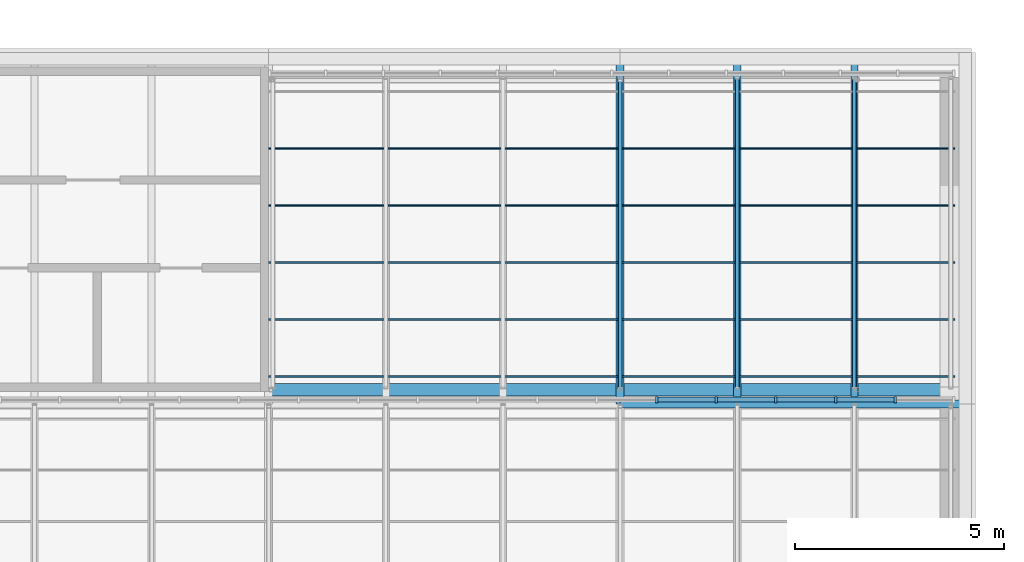
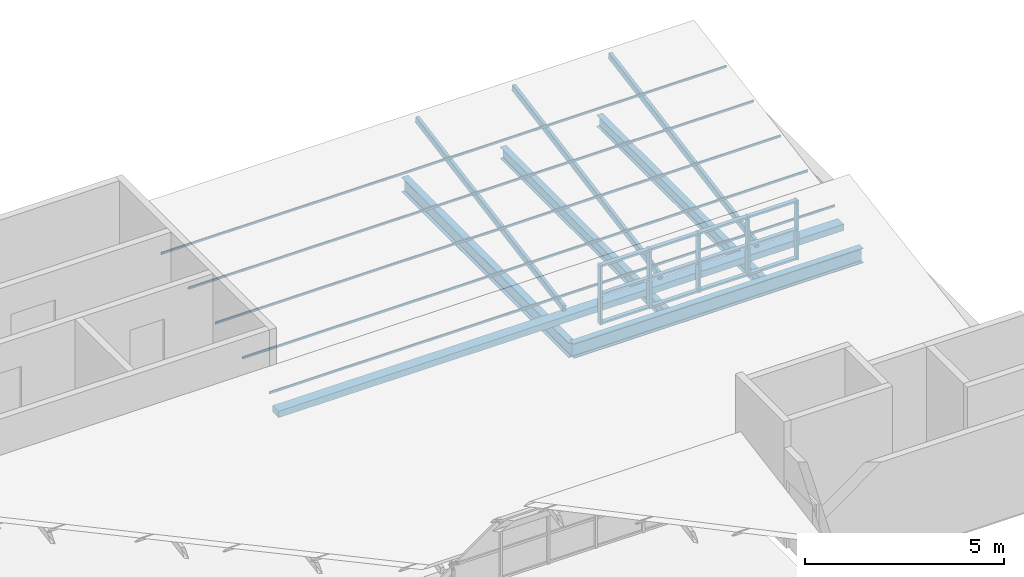
# One storey, part 11 of 33: 26 members, 4 beams, 1 element without a shape of its own.
"""IFC4 building model written with IfcOpenShell, lengths in metres."""

from ifc_helpers import new_model, si_unit, direction, frame, origin, origin_2d, place, context, subcontext, project, spatial, rectangle, hollow_rectangle, i_section, extrude, material, layer, layer_set, material_profile, profile_set, type_object, element, aggregate, save


model = new_model("IFC4")

# Units and contexts
model_context = context("Model", 3, precision=1e-05, world=origin(), true_north=direction((0.0, 1.0)))
body_context = subcontext(model_context, "Body", "Model", "MODEL_VIEW")
ifc_project = project(units=[si_unit("LENGTHUNIT", "METRE"), si_unit("AREAUNIT", "SQUARE_METRE"), si_unit("VOLUMEUNIT", "CUBIC_METRE"), si_unit("PLANEANGLEUNIT", "RADIAN"), si_unit("MASSUNIT", "GRAM", prefix="KILO")], contexts=[model_context])

# Site, building, storey
site_placement = place(None, origin())
site = spatial("IfcSite", under=ifc_project, at=site_placement, CompositionType="ELEMENT")
building_placement = place(site_placement, origin())
building = spatial("IfcBuilding", under=site, at=building_placement, Name="Ardhachandra Cancer Care Centre", CompositionType="ELEMENT")
storey_placement = place(building_placement, frame((0.0, 0.0, 27.0)))
storey = spatial("IfcBuildingStorey", under=building, at=storey_placement, Name="Roof", CompositionType="ELEMENT", Elevation=27.0)

# Beams
ifc_material_1 = material(Name="Steel E350 (IS 2062)", Category="steel")
ifc_material_profile_1 = material_profile(ifc_material_1, i_section(OverallWidth=0.172119140625, OverallDepth=0.364013671875, WebThickness=0.00927734375, FlangeThickness=0.0146484375, FilletRadius=0.01806640625, at=origin_2d()), Name="NPB 350x170x66.04")
ifc_profile_set_1 = profile_set([ifc_material_profile_1], Name="Steel E350 (IS 2062)")
beam_type_1 = type_object("IfcBeamType", Name="Beam NPB 350x170x66.04", PredefinedType="BEAM", material=ifc_profile_set_1)
for number, where, z_axis, x_axis, name in (
    (1, (139.60009765625, 96.696044921875, -0.382080078125), (0.0, 1.0, 0.0), (-1.0, 0.0, 0.0), "Secondary L16-M16@2800"),
    (2, (142.39990234375, 96.696044921875, -0.382080078125), (0.0, 1.0, 0.0), (-1.0, 0.0, 0.0), "Secondary L16-M16@5600"),
):
    element("IfcBeam", number, at=place(storey_placement, frame(where, z_axis=z_axis, x_axis=x_axis)), inside=storey, type_object=beam_type_1, Name=name, PredefinedType="BEAM", context=body_context, shape_type="SweptSolid", body=[
        extrude(i_section(OverallWidth=0.172119140625, OverallDepth=0.364013671875, WebThickness=0.00927734375, FlangeThickness=0.0146484375, FilletRadius=0.01806640625, at=origin_2d()), origin(), (0.0, 0.0, 1.0), 8.2138671875),
    ])
ifc_material_2 = material(Name="Steel E350 (IS 2062)", Category="steel")
ifc_material_profile_2 = material_profile(ifc_material_2, i_section(OverallWidth=0.19189453125, OverallDepth=0.4560546875, WebThickness=0.010986328125, FlangeThickness=0.017578125, FilletRadius=0.02099609375, at=origin_2d()), Name="NPB 450x190x92.36")
ifc_profile_set_2 = profile_set([ifc_material_profile_2], Name="Steel E350 (IS 2062)")
beam_type_2 = type_object("IfcBeamType", Name="Beam NPB 450x190x92.36", PredefinedType="BEAM", material=ifc_profile_set_2)
for number, where, z_axis, x_axis, name in (
    (3, (136.800048828125, 96.60009765625, -0.427978515625), (1.0, 0.0, 0.0), (0.0, 1.0, 0.0), "Girder L16-L17"),
    (4, (136.800048828125, 96.60009765625, -0.427978515625), (0.0, 1.0, 0.0), (-1.0, 0.0, 0.0), "Girder L16-M16"),
):
    element("IfcBeam", number, at=place(storey_placement, frame(where, z_axis=z_axis, x_axis=x_axis)), inside=storey, type_object=beam_type_2, Name=name, PredefinedType="BEAM", context=body_context, shape_type="SweptSolid", body=[
        extrude(i_section(OverallWidth=0.19189453125, OverallDepth=0.4560546875, WebThickness=0.010986328125, FlangeThickness=0.017578125, FilletRadius=0.02099609375, at=origin_2d()), origin(), (0.0, 0.0, 1.0), 8.39990234375),
    ])

# Curtain wall, members
ifc_material_3 = material(Name="Aluminium extrusion", Category="aluminium")
ifc_layer = layer(ifc_material_3, 0.14990234375)
ifc_layer_set = layer_set([ifc_layer], Name="Aluminium extrusion")
curtain_wall_type = type_object("IfcCurtainWallType", Name="Curtain wall run", PredefinedType="NOTDEFINED", material=ifc_layer_set)
curtain_wall_placement = place(storey_placement, origin())
curtain_wall = element("IfcCurtainWall", 5, at=curtain_wall_placement, inside=storey, type_object=curtain_wall_type, Name="Curtain wall Roof n/0112000_0096700", PredefinedType="NOTDEFINED")
ifc_material_4 = material(Name="Aluminium extrusion", Category="aluminium")
ifc_material_profile_3 = material_profile(ifc_material_4, rectangle(XDim=0.159912109375, YDim=0.06005859375, at=origin_2d()), Name="Curtain wall mullion 60 x 160")
ifc_profile_set_3 = profile_set([ifc_material_profile_3], Name="Aluminium extrusion")
member_type_1 = type_object("IfcMemberType", Name="Curtain wall mullion 60 x 160", PredefinedType="MULLION", material=ifc_profile_set_3)
member_1_placement = place(storey_placement, frame((137.669677734375, 96.699951171875, 0.0), z_axis=(0.0, 0.0, 1.0), x_axis=(0.0, 1.0, 0.0)))
member_1 = element("IfcMember", 6, at=member_1_placement, type_object=member_type_1, Name="CW mullion 19", PredefinedType="MULLION", context=body_context, shape_type="SweptSolid", body=[
    extrude(rectangle(XDim=0.159912109375, YDim=0.06005859375, at=origin_2d()), origin(), (0.0, 0.0, 1.0), 1.820068359375),
])
member_2_placement = place(storey_placement, frame((139.095703125, 96.699951171875, 0.0), z_axis=(0.0, 0.0, 1.0), x_axis=(0.0, 1.0, 0.0)))
member_2 = element("IfcMember", 7, at=member_2_placement, type_object=member_type_1, Name="CW mullion 20", PredefinedType="MULLION", context=body_context, shape_type="SweptSolid", body=[
    extrude(rectangle(XDim=0.159912109375, YDim=0.06005859375, at=origin_2d()), origin(), (0.0, 0.0, 1.0), 1.820068359375),
])
member_3_placement = place(storey_placement, frame((140.521728515625, 96.699951171875, 0.0), z_axis=(0.0, 0.0, 1.0), x_axis=(0.0, 1.0, 0.0)))
member_3 = element("IfcMember", 8, at=member_3_placement, type_object=member_type_1, Name="CW mullion 21", PredefinedType="MULLION", context=body_context, shape_type="SweptSolid", body=[
    extrude(rectangle(XDim=0.159912109375, YDim=0.06005859375, at=origin_2d()), origin(), (0.0, 0.0, 1.0), 1.820068359375),
])
member_4_placement = place(storey_placement, frame((141.94775390625, 96.699951171875, 0.0), z_axis=(0.0, 0.0, 1.0), x_axis=(0.0, 1.0, 0.0)))
member_4 = element("IfcMember", 9, at=member_4_placement, type_object=member_type_1, Name="CW mullion 22", PredefinedType="MULLION", context=body_context, shape_type="SweptSolid", body=[
    extrude(rectangle(XDim=0.159912109375, YDim=0.06005859375, at=origin_2d()), origin(), (0.0, 0.0, 1.0), 1.820068359375),
])
member_5_placement = place(storey_placement, frame((143.3740234375, 96.699951171875, 0.0), z_axis=(0.0, 0.0, 1.0), x_axis=(0.0, 1.0, 0.0)))
member_5 = element("IfcMember", 10, at=member_5_placement, type_object=member_type_1, Name="CW mullion 23", PredefinedType="MULLION", context=body_context, shape_type="SweptSolid", body=[
    extrude(rectangle(XDim=0.159912109375, YDim=0.06005859375, at=origin_2d()), origin(), (0.0, 0.0, 1.0), 1.820068359375),
])
ifc_material_5 = material(Name="Aluminium extrusion", Category="aluminium")
ifc_material_profile_4 = material_profile(ifc_material_5, rectangle(XDim=0.1201171875, YDim=0.06005859375, at=origin_2d()), Name="Curtain wall transom 60 x 120")
ifc_profile_set_4 = profile_set([ifc_material_profile_4], Name="Aluminium extrusion")
member_type_2 = type_object("IfcMemberType", Name="Curtain wall transom 60 x 120", PredefinedType="USERDEFINED", material=ifc_profile_set_4)
member_6_placement = place(storey_placement, frame((137.699462890625, 96.699951171875, 0.030029296875), z_axis=(1.0, 0.0, 0.0), x_axis=(0.0, 1.0, 0.0)))
member_6 = element("IfcMember", 11, at=member_6_placement, type_object=member_type_2, Name="CW transom 19.1", ObjectType="TRANSOM", PredefinedType="USERDEFINED", context=body_context, shape_type="SweptSolid", body=[
    extrude(rectangle(XDim=0.1201171875, YDim=0.06005859375, at=origin_2d()), origin(), (0.0, 0.0, 1.0), 1.3662109375),
])
member_7_placement = place(storey_placement, frame((137.699462890625, 96.699951171875, 0.909912109375), z_axis=(1.0, 0.0, 0.0), x_axis=(0.0, 1.0, 0.0)))
member_7 = element("IfcMember", 12, at=member_7_placement, type_object=member_type_2, Name="CW transom 19.2", ObjectType="TRANSOM", PredefinedType="USERDEFINED", context=body_context, shape_type="SweptSolid", body=[
    extrude(rectangle(XDim=0.1201171875, YDim=0.06005859375, at=origin_2d()), origin(), (0.0, 0.0, 1.0), 1.3662109375),
])
member_8_placement = place(storey_placement, frame((137.699462890625, 96.699951171875, 1.7900390625), z_axis=(1.0, 0.0, 0.0), x_axis=(0.0, 1.0, 0.0)))
member_8 = element("IfcMember", 13, at=member_8_placement, type_object=member_type_2, Name="CW transom 19.3", ObjectType="TRANSOM", PredefinedType="USERDEFINED", context=body_context, shape_type="SweptSolid", body=[
    extrude(rectangle(XDim=0.1201171875, YDim=0.06005859375, at=origin_2d()), origin(), (0.0, 0.0, 1.0), 1.3662109375),
])
member_9_placement = place(storey_placement, frame((139.125732421875, 96.699951171875, 0.030029296875), z_axis=(1.0, 0.0, 0.0), x_axis=(0.0, 1.0, 0.0)))
member_9 = element("IfcMember", 14, at=member_9_placement, type_object=member_type_2, Name="CW transom 20.1", ObjectType="TRANSOM", PredefinedType="USERDEFINED", context=body_context, shape_type="SweptSolid", body=[
    extrude(rectangle(XDim=0.1201171875, YDim=0.06005859375, at=origin_2d()), origin(), (0.0, 0.0, 1.0), 1.365966796875),
])
member_10_placement = place(storey_placement, frame((139.125732421875, 96.699951171875, 0.909912109375), z_axis=(1.0, 0.0, 0.0), x_axis=(0.0, 1.0, 0.0)))
member_10 = element("IfcMember", 15, at=member_10_placement, type_object=member_type_2, Name="CW transom 20.2", ObjectType="TRANSOM", PredefinedType="USERDEFINED", context=body_context, shape_type="SweptSolid", body=[
    extrude(rectangle(XDim=0.1201171875, YDim=0.06005859375, at=origin_2d()), origin(), (0.0, 0.0, 1.0), 1.365966796875),
])
member_11_placement = place(storey_placement, frame((139.125732421875, 96.699951171875, 1.7900390625), z_axis=(1.0, 0.0, 0.0), x_axis=(0.0, 1.0, 0.0)))
member_11 = element("IfcMember", 16, at=member_11_placement, type_object=member_type_2, Name="CW transom 20.3", ObjectType="TRANSOM", PredefinedType="USERDEFINED", context=body_context, shape_type="SweptSolid", body=[
    extrude(rectangle(XDim=0.1201171875, YDim=0.06005859375, at=origin_2d()), origin(), (0.0, 0.0, 1.0), 1.365966796875),
])
member_12_placement = place(storey_placement, frame((140.5517578125, 96.699951171875, 0.030029296875), z_axis=(1.0, 0.0, 0.0), x_axis=(0.0, 1.0, 0.0)))
member_12 = element("IfcMember", 17, at=member_12_placement, type_object=member_type_2, Name="CW transom 21.1", ObjectType="TRANSOM", PredefinedType="USERDEFINED", context=body_context, shape_type="SweptSolid", body=[
    extrude(rectangle(XDim=0.1201171875, YDim=0.06005859375, at=origin_2d()), origin(), (0.0, 0.0, 1.0), 1.365966796875),
])
member_13_placement = place(storey_placement, frame((140.5517578125, 96.699951171875, 0.909912109375), z_axis=(1.0, 0.0, 0.0), x_axis=(0.0, 1.0, 0.0)))
member_13 = element("IfcMember", 18, at=member_13_placement, type_object=member_type_2, Name="CW transom 21.2", ObjectType="TRANSOM", PredefinedType="USERDEFINED", context=body_context, shape_type="SweptSolid", body=[
    extrude(rectangle(XDim=0.1201171875, YDim=0.06005859375, at=origin_2d()), origin(), (0.0, 0.0, 1.0), 1.365966796875),
])
member_14_placement = place(storey_placement, frame((140.5517578125, 96.699951171875, 1.7900390625), z_axis=(1.0, 0.0, 0.0), x_axis=(0.0, 1.0, 0.0)))
member_14 = element("IfcMember", 19, at=member_14_placement, type_object=member_type_2, Name="CW transom 21.3", ObjectType="TRANSOM", PredefinedType="USERDEFINED", context=body_context, shape_type="SweptSolid", body=[
    extrude(rectangle(XDim=0.1201171875, YDim=0.06005859375, at=origin_2d()), origin(), (0.0, 0.0, 1.0), 1.365966796875),
])
member_15_placement = place(storey_placement, frame((141.977783203125, 96.699951171875, 0.030029296875), z_axis=(1.0, 0.0, 0.0), x_axis=(0.0, 1.0, 0.0)))
member_15 = element("IfcMember", 20, at=member_15_placement, type_object=member_type_2, Name="CW transom 22.1", ObjectType="TRANSOM", PredefinedType="USERDEFINED", context=body_context, shape_type="SweptSolid", body=[
    extrude(rectangle(XDim=0.1201171875, YDim=0.06005859375, at=origin_2d()), origin(), (0.0, 0.0, 1.0), 1.3662109375),
])
member_16_placement = place(storey_placement, frame((141.977783203125, 96.699951171875, 0.909912109375), z_axis=(1.0, 0.0, 0.0), x_axis=(0.0, 1.0, 0.0)))
member_16 = element("IfcMember", 21, at=member_16_placement, type_object=member_type_2, Name="CW transom 22.2", ObjectType="TRANSOM", PredefinedType="USERDEFINED", context=body_context, shape_type="SweptSolid", body=[
    extrude(rectangle(XDim=0.1201171875, YDim=0.06005859375, at=origin_2d()), origin(), (0.0, 0.0, 1.0), 1.3662109375),
])
member_17_placement = place(storey_placement, frame((141.977783203125, 96.699951171875, 1.7900390625), z_axis=(1.0, 0.0, 0.0), x_axis=(0.0, 1.0, 0.0)))
member_17 = element("IfcMember", 22, at=member_17_placement, type_object=member_type_2, Name="CW transom 22.3", ObjectType="TRANSOM", PredefinedType="USERDEFINED", context=body_context, shape_type="SweptSolid", body=[
    extrude(rectangle(XDim=0.1201171875, YDim=0.06005859375, at=origin_2d()), origin(), (0.0, 0.0, 1.0), 1.3662109375),
])
aggregate(curtain_wall, [member_1, member_2, member_3, member_4, member_5, member_6, member_7, member_8, member_9, member_10, member_11, member_12, member_13, member_14, member_15, member_16, member_17])

# Members
ifc_material_6 = material(Name="Steel E350 (IS 2062)", Category="steel")
ifc_material_profile_5 = material_profile(ifc_material_6, hollow_rectangle(XDim=0.0400390625, YDim=0.080078125, WallThickness=0.00390625, InnerFilletRadius=0.00390625, OuterFilletRadius=0.008056640625, at=origin_2d()), Name="RHS 80x40x4.0")
ifc_profile_set_5 = profile_set([ifc_material_profile_5], Name="Steel E350 (IS 2062)")
member_type_3 = type_object("IfcMemberType", Name="Roof purlin RHS 80x40x4.0", PredefinedType="PURLIN", material=ifc_profile_set_5)
for number, where, z_axis, x_axis, name in (
    (23, (128.39990234375, 97.25390625, 0.7890625), (1.0, 0.0, 0.0), (0.0, 0.984460447526, 0.175606455623), "Purlin ST3a.1"),
    (24, (128.39990234375, 98.615478515625, 1.031982421875), (1.0, 0.0, 0.0), (0.0, 0.984460447526, 0.175606455623), "Purlin ST3a.2"),
    (25, (128.39990234375, 99.97705078125, 1.27490234375), (1.0, 0.0, 0.0), (0.0, 0.984460447526, 0.175606455623), "Purlin ST3a.3"),
    (26, (128.39990234375, 101.338623046875, 1.517822265625), (1.0, 0.0, 0.0), (0.0, 0.984460447526, 0.175606455623), "Purlin ST3a.4"),
    (27, (128.39990234375, 102.7001953125, 1.760498046875), (1.0, 0.0, 0.0), (0.0, 0.984460447526, 0.175606455623), "Purlin ST3a.5"),
):
    element("IfcMember", number, at=place(storey_placement, frame(where, z_axis=z_axis, x_axis=x_axis)), inside=storey, type_object=member_type_3, Name=name, PredefinedType="PURLIN", context=body_context, shape_type="SweptSolid", body=[
        extrude(hollow_rectangle(XDim=0.0400390625, YDim=0.080078125, WallThickness=0.00390625, InnerFilletRadius=0.00390625, OuterFilletRadius=0.008056640625, at=origin_2d()), origin(), (0.0, 0.0, 1.0), 16.400146484375),
    ])
ifc_material_7 = material(Name="Steel E350 (IS 2062)", Category="steel")
ifc_material_profile_6 = material_profile(ifc_material_7, hollow_rectangle(XDim=0.10009765625, YDim=0.199951171875, WallThickness=0.006103515625, InnerFilletRadius=0.006103515625, OuterFilletRadius=0.011962890625, at=origin_2d()), Name="RHS 200x100x6.0")
ifc_profile_set_6 = profile_set([ifc_material_profile_6], Name="Steel E350 (IS 2062)")
member_type_4 = type_object("IfcMemberType", Name="Roof rafter RHS 200x100x6.0", PredefinedType="RAFTER", material=ifc_profile_set_6)
for number, where, z_axis, x_axis, name in (
    (28, (136.800048828125, 96.982421875, 0.598388671875), (0.0, 0.984458474177, 0.175617517977), (-1.0, 0.0, 0.0), "Rafter ST3a.4"),
    (29, (139.60009765625, 96.982421875, 0.598388671875), (0.0, 0.984458474177, 0.175617517977), (-1.0, 0.0, 0.0), "Rafter ST3a.5"),
    (30, (142.39990234375, 96.982421875, 0.598388671875), (0.0, 0.984458474177, 0.175617517977), (-1.0, 0.0, 0.0), "Rafter ST3a.6"),
):
    element("IfcMember", number, at=place(storey_placement, frame(where, z_axis=z_axis, x_axis=x_axis)), inside=storey, type_object=member_type_4, Name=name, PredefinedType="RAFTER", context=body_context, shape_type="SweptSolid", body=[
        extrude(hollow_rectangle(XDim=0.10009765625, YDim=0.199951171875, WallThickness=0.006103515625, InnerFilletRadius=0.006103515625, OuterFilletRadius=0.011962890625, at=origin_2d()), origin(), (0.0, 0.0, 1.0), 7.516845703125),
    ])
ifc_material_8 = material(Name="Stainless steel sheet gutter on galvanised steel cradle", Category="steel")
ifc_material_profile_7 = material_profile(ifc_material_8, rectangle(XDim=0.300048828125, YDim=0.199951171875, at=origin_2d()), Name="Valley gutter 300 x 200")
ifc_profile_set_7 = profile_set([ifc_material_profile_7], Name="Stainless steel sheet gutter on galvanised steel cradle")
member_type_5 = type_object("IfcMemberType", Name="Valley gutter 300 x 200", PredefinedType="USERDEFINED", material=ifc_profile_set_7)
member_18_placement = place(storey_placement, frame((128.39990234375, 96.93994140625, 0.39990234375), z_axis=(1.0, 0.0, 0.0), x_axis=(0.0, 1.0, 0.0)))
element("IfcMember", 31, at=member_18_placement, inside=storey, type_object=member_type_5, Name="Valley gutter ST3a", ObjectType="GUTTER", PredefinedType="USERDEFINED", context=body_context, shape_type="SweptSolid", body=[
    extrude(rectangle(XDim=0.300048828125, YDim=0.199951171875, at=origin_2d()), origin(), (0.0, 0.0, 1.0), 16.400146484375),
])

save(model, "model.ifc")
